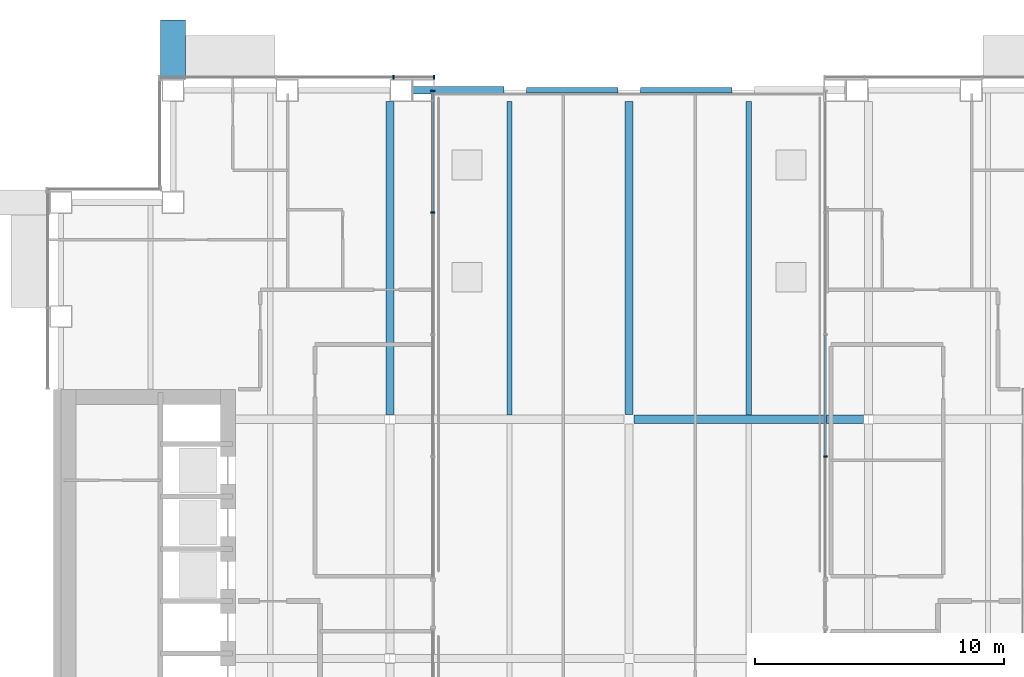
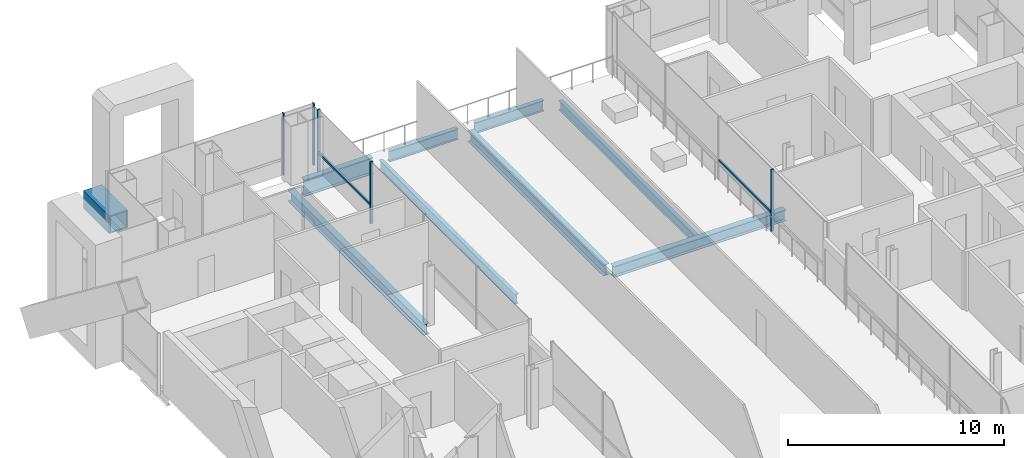
# One storey, part 9 of 20: 9 beams, 7 members, 3 elements without a shape of their own.
"""IFC4 building model written with IfcOpenShell, lengths in metres."""

from ifc_helpers import new_model, si_unit, direction, frame, origin, origin_2d, place, context, subcontext, project, spatial, rectangle, hollow_rectangle, i_section, extrude, material, material_profile, profile_set, type_object, element, aggregate, save


model = new_model("IFC4")

# Units and contexts
model_context = context("Model", 3, precision=1e-05, world=origin(), true_north=direction((0.0, 1.0)))
body_context = subcontext(model_context, "Body", "Model", "MODEL_VIEW")
ifc_project = project(units=[si_unit("LENGTHUNIT", "METRE"), si_unit("AREAUNIT", "SQUARE_METRE"), si_unit("VOLUMEUNIT", "CUBIC_METRE"), si_unit("PLANEANGLEUNIT", "RADIAN"), si_unit("MASSUNIT", "GRAM", prefix="KILO")], contexts=[model_context])

# Site, building, storey
site_placement = place(None, origin())
site = spatial("IfcSite", under=ifc_project, at=site_placement, CompositionType="ELEMENT")
building_placement = place(site_placement, origin())
building = spatial("IfcBuilding", under=site, at=building_placement, Name="Cobrizo Arcos Hotel Tower", CompositionType="ELEMENT")
storey_placement = place(building_placement, frame((0.0, 0.0, 117.0)))
storey = spatial("IfcBuildingStorey", under=building, at=storey_placement, Name="L29", CompositionType="ELEMENT", Elevation=117.0)

# Beam
ifc_material_1 = material(Name="Steel ASTM A572 Grade 50", Category="steel")
ifc_material_profile_1 = material_profile(ifc_material_1, hollow_rectangle(XDim=1.0, YDim=1.0, WallThickness=0.06005859375, at=origin_2d()), Name="BOX 1000X1000X60")
ifc_profile_set_1 = profile_set([ifc_material_profile_1], Name="Steel ASTM A572 Grade 50")
beam_type_1 = type_object("IfcBeamType", Name="BOX 1000X1000X60 brace connector strut", PredefinedType="BEAM", material=ifc_profile_set_1)
beam_1_placement = place(storey_placement, frame((-18.300048828125, 23.239990234375, 0.5), z_axis=(0.0, 1.0, 0.0), x_axis=(-1.0, 0.0, 0.0)))
element("IfcBeam", 1, at=beam_1_placement, inside=storey, type_object=beam_type_1, Name="Perimeter brace stub BS1, zone Z2, north face, offset -18.30 m, L29", PredefinedType="BEAM", context=body_context, shape_type="SweptSolid", body=[
    extrude(hollow_rectangle(XDim=1.0, YDim=1.0, WallThickness=0.06005859375, at=origin_2d()), origin(), (0.0, 0.0, 1.0), 2.380126953125),
])

# Curtain wall, members
ifc_material_2 = material(Name="Aluminium 6063-T6 anodised bronze", Category="aluminium")
curtain_wall_type_1 = type_object("IfcCurtainWallType", Name="CW-A guest facade", PredefinedType="NOTDEFINED", material=ifc_material_2)
curtain_wall_1_placement = place(storey_placement, origin())
curtain_wall_1 = element("IfcCurtainWall", 2, at=curtain_wall_1_placement, inside=storey, type_object=curtain_wall_type_1, Name="CW-A L29 N face", PredefinedType="NOTDEFINED")
ifc_material_profile_2 = material_profile(ifc_material_2, rectangle(XDim=0.14990234375, YDim=0.06005859375, at=origin_2d()), Name="CW-A mullion 150x60")
ifc_profile_set_2 = profile_set([ifc_material_profile_2], Name="Aluminium 6063-T6 anodised bronze")
member_type_1 = type_object("IfcMemberType", Name="CW-A mullion 150x60", PredefinedType="MULLION", material=ifc_profile_set_2)
member_1_placement = place(storey_placement, frame((-7.830078125, 23.324951171875, 0.0), z_axis=(0.0, 0.0, 1.0), x_axis=(0.0, 1.0, 0.0)))
member_1 = element("IfcMember", 3, at=member_1_placement, type_object=member_type_1, Name="CW-A mullion 1", PredefinedType="MULLION", context=body_context, shape_type="SweptSolid", body=[
    extrude(rectangle(XDim=0.14990234375, YDim=0.06005859375, at=origin_2d()), origin(), (0.0, 0.0, 1.0), 3.5),
])
member_2_placement = place(storey_placement, frame((-9.449951171875, 23.324951171875, 0.0), z_axis=(0.0, 0.0, 1.0), x_axis=(0.0, 1.0, 0.0)))
member_2 = element("IfcMember", 4, at=member_2_placement, type_object=member_type_1, Name="CW-A mullion 2", PredefinedType="MULLION", context=body_context, shape_type="SweptSolid", body=[
    extrude(rectangle(XDim=0.14990234375, YDim=0.06005859375, at=origin_2d()), origin(), (0.0, 0.0, 1.0), 3.5),
])
aggregate(curtain_wall_1, [member_1, member_2])

# Curtain wall, member
curtain_wall_type_2 = type_object("IfcCurtainWallType", Name="CW-F void screen", PredefinedType="NOTDEFINED", material=ifc_material_2)
curtain_wall_2_placement = place(storey_placement, origin())
curtain_wall_2 = element("IfcCurtainWall", 5, at=curtain_wall_2_placement, inside=storey, type_object=curtain_wall_type_2, Name="CW-F L29 void screen B", PredefinedType="NOTDEFINED")
ifc_material_profile_3 = material_profile(ifc_material_2, rectangle(XDim=0.14990234375, YDim=0.06005859375, at=origin_2d()), Name="CW-F mullion 150x60")
ifc_profile_set_3 = profile_set([ifc_material_profile_3], Name="Aluminium 6063-T6 anodised bronze")
member_type_2 = type_object("IfcMemberType", Name="CW-F mullion 150x60", PredefinedType="MULLION", material=ifc_profile_set_3)
member_3_placement = place(storey_placement, frame((7.875, 8.10009765625, 0.0), z_axis=(0.0, 0.0, 1.0), x_axis=(1.0, 0.0, 0.0)))
member_3 = element("IfcMember", 6, at=member_3_placement, type_object=member_type_2, Name="CW-F mullion 2", PredefinedType="MULLION", context=body_context, shape_type="SweptSolid", body=[
    extrude(rectangle(XDim=0.14990234375, YDim=0.06005859375, at=origin_2d()), origin(), (0.0, 0.0, 1.0), 3.5),
])

# Curtain wall, members
curtain_wall_3_placement = place(storey_placement, origin())
curtain_wall_3 = element("IfcCurtainWall", 7, at=curtain_wall_3_placement, inside=storey, type_object=curtain_wall_type_2, Name="CW-F L29 void screen B", PredefinedType="NOTDEFINED")
member_4_placement = place(storey_placement, frame((-7.875, 22.77001953125, 0.0), z_axis=(0.0, 0.0, 1.0), x_axis=(-1.0, 0.0, 0.0)))
member_4 = element("IfcMember", 8, at=member_4_placement, type_object=member_type_2, Name="CW-F mullion 1", PredefinedType="MULLION", context=body_context, shape_type="SweptSolid", body=[
    extrude(rectangle(XDim=0.14990234375, YDim=0.06005859375, at=origin_2d()), origin(), (0.0, 0.0, 1.0), 3.5),
])
member_5_placement = place(storey_placement, frame((-7.875, 17.89990234375, 0.0), z_axis=(0.0, 0.0, 1.0), x_axis=(-1.0, 0.0, 0.0)))
member_5 = element("IfcMember", 9, at=member_5_placement, type_object=member_type_2, Name="CW-F mullion 2", PredefinedType="MULLION", context=body_context, shape_type="SweptSolid", body=[
    extrude(rectangle(XDim=0.14990234375, YDim=0.06005859375, at=origin_2d()), origin(), (0.0, 0.0, 1.0), 3.5),
])

# Member
ifc_material_profile_4 = material_profile(ifc_material_2, rectangle(XDim=0.10009765625, YDim=0.1201171875, at=origin_2d()), Name="CW-F transom 120x100")
ifc_profile_set_4 = profile_set([ifc_material_profile_4], Name="Aluminium 6063-T6 anodised bronze")
member_type_3 = type_object("IfcMemberType", Name="CW-F transom 120x100", PredefinedType="USERDEFINED", material=ifc_profile_set_4)
member_6_placement = place(storey_placement, frame((7.875, 8.1298828125, 1.050048828125), z_axis=(0.0, 1.0, 0.0), x_axis=(-1.0, 0.0, 0.0)))
member_6 = element("IfcMember", 10, at=member_6_placement, type_object=member_type_3, Name="CW-F transom 2574", ObjectType="TRANSOM", PredefinedType="USERDEFINED", context=body_context, shape_type="SweptSolid", body=[
    extrude(rectangle(XDim=0.10009765625, YDim=0.1201171875, at=origin_2d()), origin(), (0.0, 0.0, 1.0), 4.840087890625),
])

aggregate(curtain_wall_2, [member_3, member_6])

member_7_placement = place(storey_placement, frame((-7.875, 22.739990234375, 1.050048828125), z_axis=(0.0, -1.0, 0.0), x_axis=(1.0, 0.0, 0.0)))
member_7 = element("IfcMember", 11, at=member_7_placement, type_object=member_type_3, Name="CW-F transom 2577", ObjectType="TRANSOM", PredefinedType="USERDEFINED", context=body_context, shape_type="SweptSolid", body=[
    extrude(rectangle(XDim=0.10009765625, YDim=0.1201171875, at=origin_2d()), origin(), (0.0, 0.0, 1.0), 4.81005859375),
])

aggregate(curtain_wall_3, [member_4, member_5, member_7])

# Beams
ifc_material_3 = material(Name="Steel ASTM A992 Grade 50", Category="steel")
ifc_material_profile_5 = material_profile(ifc_material_3, i_section(OverallWidth=0.209228515625, OverallDepth=0.533447265625, WebThickness=0.01025390625, FlangeThickness=0.015625, at=origin_2d()), Name="W21X62")
ifc_profile_set_5 = profile_set([ifc_material_profile_5], Name="Steel ASTM A992 Grade 50")
beam_type_2 = type_object("IfcBeamType", Name="W21X62 joist", PredefinedType="JOIST", material=ifc_profile_set_5)
for number, where, z_axis, x_axis, name in (
    (12, (-4.800048828125, 9.763916015625, -0.416748046875), (0.0, 1.0, 0.0), (-1.0, 0.0, 0.0), "Floor joist J1, L29, no. 010"),
    (13, (4.800048828125, 9.763916015625, -0.416748046875), (0.0, 1.0, 0.0), (-1.0, 0.0, 0.0), "Floor joist J1, L29, no. 014"),
):
    element("IfcBeam", number, at=place(storey_placement, frame(where, z_axis=z_axis, x_axis=x_axis)), inside=storey, type_object=beam_type_2, Name=name, PredefinedType="JOIST", context=body_context, shape_type="SweptSolid", body=[
        extrude(i_section(OverallWidth=0.209228515625, OverallDepth=0.533447265625, WebThickness=0.01025390625, FlangeThickness=0.015625, at=origin_2d()), origin(), (0.0, 0.0, 1.0), 12.586181640625),
    ])
ifc_material_profile_6 = material_profile(ifc_material_3, i_section(OverallWidth=0.32763671875, OverallDepth=0.622314453125, WebThickness=0.015380859375, FlangeThickness=0.0244140625, at=origin_2d()), Name="W24X131")
ifc_profile_set_6 = profile_set([ifc_material_profile_6], Name="Steel ASTM A992 Grade 50")
beam_type_3 = type_object("IfcBeamType", Name="W24X131 girder", PredefinedType="BEAM", material=ifc_profile_set_6)
beam_2_placement = place(storey_placement, frame((0.199462890625, 9.60009765625, -0.461181640625), z_axis=(1.0, 0.0, 0.0), x_axis=(0.0, 1.0, 0.0)))
element("IfcBeam", 14, at=beam_2_placement, inside=storey, type_object=beam_type_3, Name="Floor girder G1, L29, no. 011", PredefinedType="BEAM", context=body_context, shape_type="SweptSolid", body=[
    extrude(i_section(OverallWidth=0.32763671875, OverallDepth=0.622314453125, WebThickness=0.015380859375, FlangeThickness=0.0244140625, at=origin_2d()), origin(), (0.0, 0.0, 1.0), 9.201171875),
])
for number, where, z_axis, x_axis, name in (
    (15, (-9.60009765625, 9.79931640625, -0.461181640625), (0.0, 1.0, 0.0), (-1.0, 0.0, 0.0), "Floor girder G1, L29, no. 016"),
    (16, (0.0, 9.79931640625, -0.461181640625), (0.0, 1.0, 0.0), (-1.0, 0.0, 0.0), "Floor girder G1, L29, no. 020"),
):
    element("IfcBeam", number, at=place(storey_placement, frame(where, z_axis=z_axis, x_axis=x_axis)), inside=storey, type_object=beam_type_3, Name=name, PredefinedType="BEAM", context=body_context, shape_type="SweptSolid", body=[
        extrude(i_section(OverallWidth=0.32763671875, OverallDepth=0.622314453125, WebThickness=0.015380859375, FlangeThickness=0.0244140625, at=origin_2d()), origin(), (0.0, 0.0, 1.0), 12.55078125),
    ])
ifc_material_profile_7 = material_profile(ifc_material_3, i_section(OverallWidth=0.23046875, OverallDepth=0.6171875, WebThickness=0.01318359375, FlangeThickness=0.022216796875, at=origin_2d()), Name="W24X94")
ifc_profile_set_7 = profile_set([ifc_material_profile_7], Name="Steel ASTM A992 Grade 50")
beam_type_4 = type_object("IfcBeamType", Name="W24X94 spandrel", PredefinedType="SPANDREL", material=ifc_profile_set_7)
for number, where, z_axis, x_axis, name in (
    (17, (4.125, 22.800048828125, -0.45849609375), (-1.0, 0.0, 0.0), (0.0, -1.0, 0.0), "Spandrel beam W24X94, L29, no. 017"),
    (18, (-0.449951171875, 22.800048828125, -0.45849609375), (-1.0, 0.0, 0.0), (0.0, -1.0, 0.0), "Spandrel beam W24X94, L29, no. 018"),
):
    element("IfcBeam", number, at=place(storey_placement, frame(where, z_axis=z_axis, x_axis=x_axis)), inside=storey, type_object=beam_type_4, Name=name, PredefinedType="SPANDREL", context=body_context, shape_type="SweptSolid", body=[
        extrude(i_section(OverallWidth=0.23046875, OverallDepth=0.6171875, WebThickness=0.01318359375, FlangeThickness=0.022216796875, at=origin_2d()), origin(), (0.0, 0.0, 1.0), 3.675048828125),
    ])
ifc_material_profile_8 = material_profile(ifc_material_3, i_section(OverallWidth=0.307373046875, OverallDepth=0.9423828125, WebThickness=0.022216796875, FlangeThickness=0.039794921875, at=origin_2d()), Name="W36X232")
ifc_profile_set_8 = profile_set([ifc_material_profile_8], Name="Steel ASTM A992 Grade 50")
beam_type_5 = type_object("IfcBeamType", Name="W36X232 spandrel transfer", PredefinedType="BEAM", material=ifc_profile_set_8)
beam_3_placement = place(storey_placement, frame((-5.02490234375, 22.800048828125, -0.62109375), z_axis=(-1.0, 0.0, 0.0), x_axis=(0.0, -1.0, 0.0)))
element("IfcBeam", 19, at=beam_3_placement, inside=storey, type_object=beam_type_5, Name="Spandrel transfer beam ST1, L29, no. 004", PredefinedType="BEAM", context=body_context, shape_type="SweptSolid", body=[
    extrude(i_section(OverallWidth=0.307373046875, OverallDepth=0.9423828125, WebThickness=0.022216796875, FlangeThickness=0.039794921875, at=origin_2d()), origin(), (0.0, 0.0, 1.0), 3.675048828125),
])

save(model, "model.ifc")
